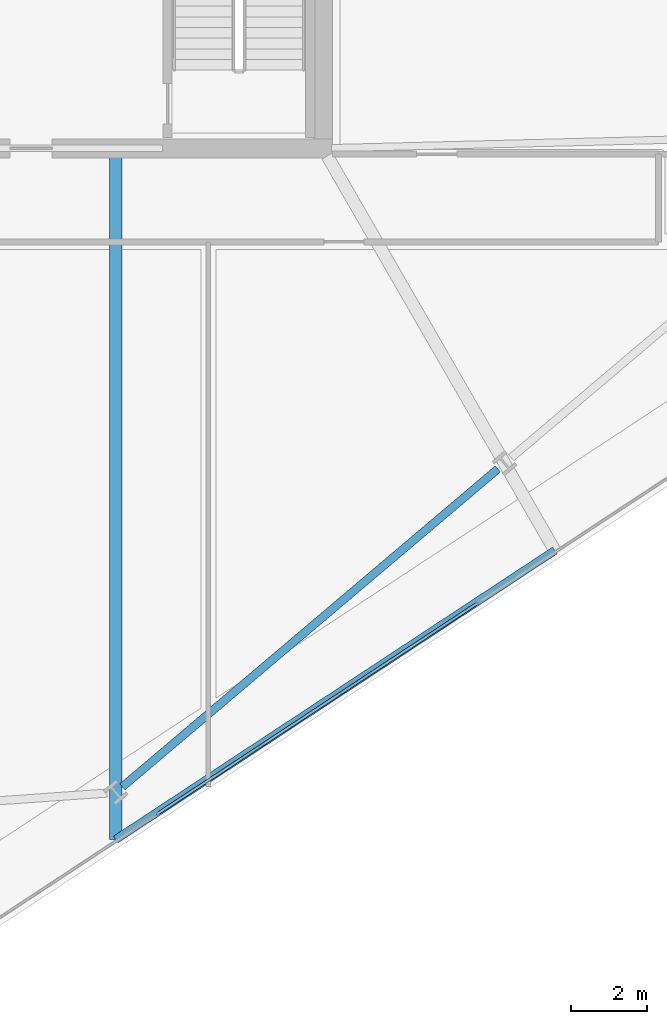
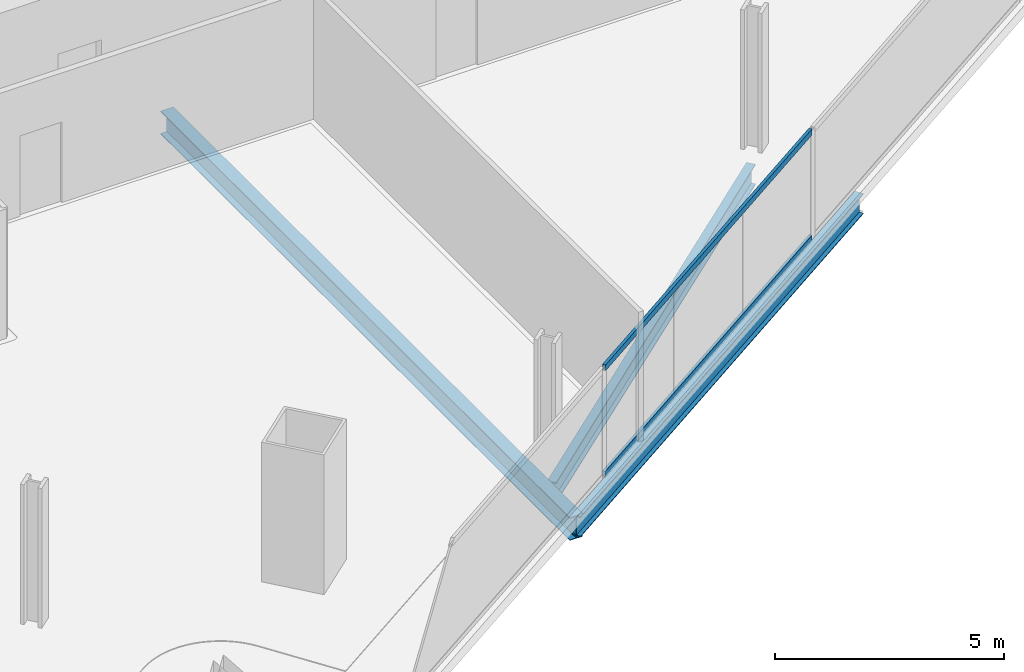
# One storey, part 7 of 29: 3 beams, 2 members, 1 element without a shape of its own.
"""IFC4 building model written with IfcOpenShell, lengths in metres."""

from ifc_helpers import new_model, si_unit, direction, frame, origin, origin_2d, place, context, subcontext, project, spatial, hollow_rectangle, i_section, extrude, material, material_profile, profile_set, type_object, element, aggregate, save


model = new_model("IFC4")

# Units and contexts
model_context = context("Model", 3, precision=1e-05, world=origin(), true_north=direction((0.0, 1.0)))
body_context = subcontext(model_context, "Body", "Model", "MODEL_VIEW")
ifc_project = project(units=[si_unit("LENGTHUNIT", "METRE"), si_unit("AREAUNIT", "SQUARE_METRE"), si_unit("VOLUMEUNIT", "CUBIC_METRE"), si_unit("PLANEANGLEUNIT", "RADIAN"), si_unit("MASSUNIT", "GRAM", prefix="KILO")], contexts=[model_context])

# Site, building, storey
site_placement = place(None, origin())
site = spatial("IfcSite", under=ifc_project, at=site_placement, CompositionType="ELEMENT")
building_placement = place(site_placement, origin())
building = spatial("IfcBuilding", under=site, at=building_placement, Name="Haldenkirk Collegiate Tower", CompositionType="ELEMENT")
storey_placement = place(building_placement, frame((0.0, 0.0, 140.699951171875)))
storey = spatial("IfcBuildingStorey", under=building, at=storey_placement, Name="L34", CompositionType="ELEMENT", Elevation=140.699951171875)

# Beams
ifc_material_1 = material(Name="Steel ASTM A992 Grade 50", Category="steel")
ifc_material_profile_1 = material_profile(ifc_material_1, i_section(OverallWidth=0.324951171875, OverallDepth=0.615966796875, WebThickness=0.013916015625, FlangeThickness=0.021484375, at=origin_2d()), Name="W24X117")
ifc_profile_set_1 = profile_set([ifc_material_profile_1], Name="Steel ASTM A992 Grade 50")
beam_type_1 = type_object("IfcBeamType", Name="BM-GIRDER-W24X117", PredefinedType="BEAM", material=ifc_profile_set_1)
beam_1_placement = place(storey_placement, frame((39.568603515625, -0.119140625, -0.597900390625), z_axis=(0.0, 1.0, 0.0), x_axis=(-1.0, 0.0, 0.0)))
element("IfcBeam", 1, at=beam_1_placement, inside=storey, type_object=beam_type_1, Name="L34 primary floor girder 05", PredefinedType="BEAM", context=body_context, shape_type="SweptSolid", body=[
    extrude(i_section(OverallWidth=0.324951171875, OverallDepth=0.615966796875, WebThickness=0.013916015625, FlangeThickness=0.021484375, at=origin_2d()), origin(), (0.0, 0.0, 1.0), 17.88916015625),
])
ifc_material_profile_2 = material_profile(ifc_material_1, i_section(OverallWidth=0.2119140625, OverallDepth=0.5439453125, WebThickness=0.01318359375, FlangeThickness=0.021240234375, at=origin_2d()), Name="W21X83")
ifc_profile_set_2 = profile_set([ifc_material_profile_2], Name="Steel ASTM A992 Grade 50")
beam_type_2 = type_object("IfcBeamType", Name="BM-SPANDREL-W21X83", PredefinedType="SPANDREL", material=ifc_profile_set_2)
beam_2_placement = place(storey_placement, frame((39.743408203125, 1.261474609375, -0.56201171875), z_axis=(0.763233335078, 0.646122957514, 0.0), x_axis=(-0.646122957514, 0.763233335078, 0.0)))
element("IfcBeam", 2, at=beam_2_placement, inside=storey, type_object=beam_type_2, Name="L34 perimeter spandrel beam 02", PredefinedType="SPANDREL", context=body_context, shape_type="SweptSolid", body=[
    extrude(i_section(OverallWidth=0.2119140625, OverallDepth=0.5439453125, WebThickness=0.01318359375, FlangeThickness=0.021240234375, at=origin_2d()), origin(), (0.0, 0.0, 1.0), 12.898193359375),
])
beam_3_placement = place(storey_placement, frame((39.568603515625, -0.119140625, -0.56201171875), z_axis=(0.83533059488, 0.549747939749, 0.0), x_axis=(-0.549747939749, 0.83533059488, 0.0)))
element("IfcBeam", 3, at=beam_3_placement, inside=storey, type_object=beam_type_2, Name="L34 outer facade edge beam 1", PredefinedType="SPANDREL", context=body_context, shape_type="SweptSolid", body=[
    extrude(i_section(OverallWidth=0.2119140625, OverallDepth=0.5439453125, WebThickness=0.01318359375, FlangeThickness=0.021240234375, at=origin_2d()), origin(), (0.0, 0.0, 1.0), 13.78173828125),
])

# Curtain wall, members
ifc_material_2 = material(Name="Anodised architectural bronze aluminium", Category="aluminium")
curtain_wall_type = type_object("IfcCurtainWallType", Name="CW-SYS2-CONCAVE", PredefinedType="USERDEFINED", material=ifc_material_2)
curtain_wall_placement = place(storey_placement, origin())
curtain_wall = element("IfcCurtainWall", 4, at=curtain_wall_placement, inside=storey, type_object=curtain_wall_type, Name="L34 South concave recessed bronze-anodised curtain wall", ObjectType="UNITISED CURTAIN WALL", PredefinedType="USERDEFINED")
ifc_material_profile_3 = material_profile(ifc_material_2, hollow_rectangle(XDim=0.074951171875, YDim=0.159912109375, WallThickness=0.0048828125, at=origin_2d()), Name="CW-TRN-02")
ifc_profile_set_3 = profile_set([ifc_material_profile_3], Name="Anodised architectural bronze aluminium")
member_type = type_object("IfcMemberType", Name="CW-TRN-02", PredefinedType="USERDEFINED", material=ifc_profile_set_3)
member_1_placement = place(storey_placement, frame((49.063720703125, 6.08203125, 0.03759765625), z_axis=(-0.835327474606, -0.549752680911, 0.0), x_axis=(0.549752680911, -0.835327474606, 0.0)))
member_1 = element("IfcMember", 5, at=member_1_placement, type_object=member_type, Name="CW-02 transom 3.1", ObjectType="TRANSOM", PredefinedType="USERDEFINED", context=body_context, shape_type="SweptSolid", body=[
    extrude(hollow_rectangle(XDim=0.074951171875, YDim=0.159912109375, WallThickness=0.0048828125, at=origin_2d()), origin(), (0.0, 0.0, 1.0), 10.0751953125),
])
member_2_placement = place(storey_placement, frame((49.063720703125, 6.08203125, 2.87353515625), z_axis=(-0.835327474606, -0.549752680911, 0.0), x_axis=(0.549752680911, -0.835327474606, 0.0)))
member_2 = element("IfcMember", 6, at=member_2_placement, type_object=member_type, Name="CW-02 transom 3.2", ObjectType="TRANSOM", PredefinedType="USERDEFINED", context=body_context, shape_type="SweptSolid", body=[
    extrude(hollow_rectangle(XDim=0.074951171875, YDim=0.159912109375, WallThickness=0.0048828125, at=origin_2d()), origin(), (0.0, 0.0, 1.0), 10.0751953125),
])
aggregate(curtain_wall, [member_1, member_2])

save(model, "model.ifc")
